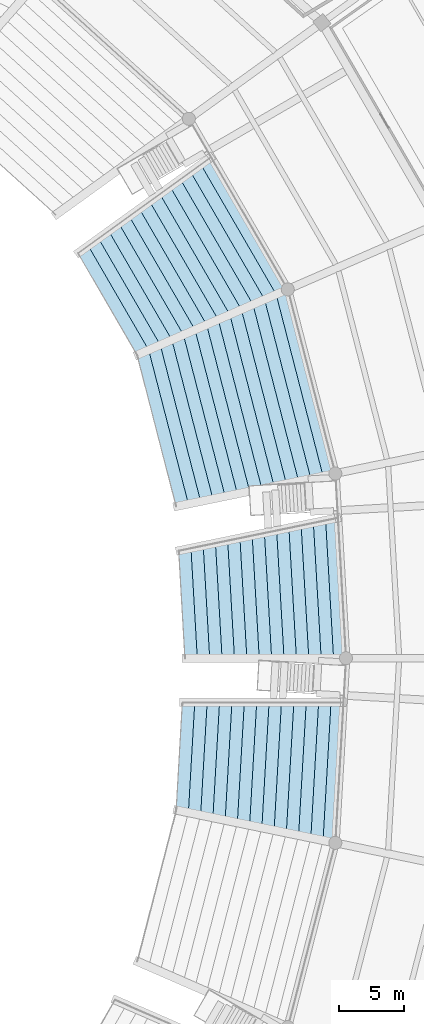
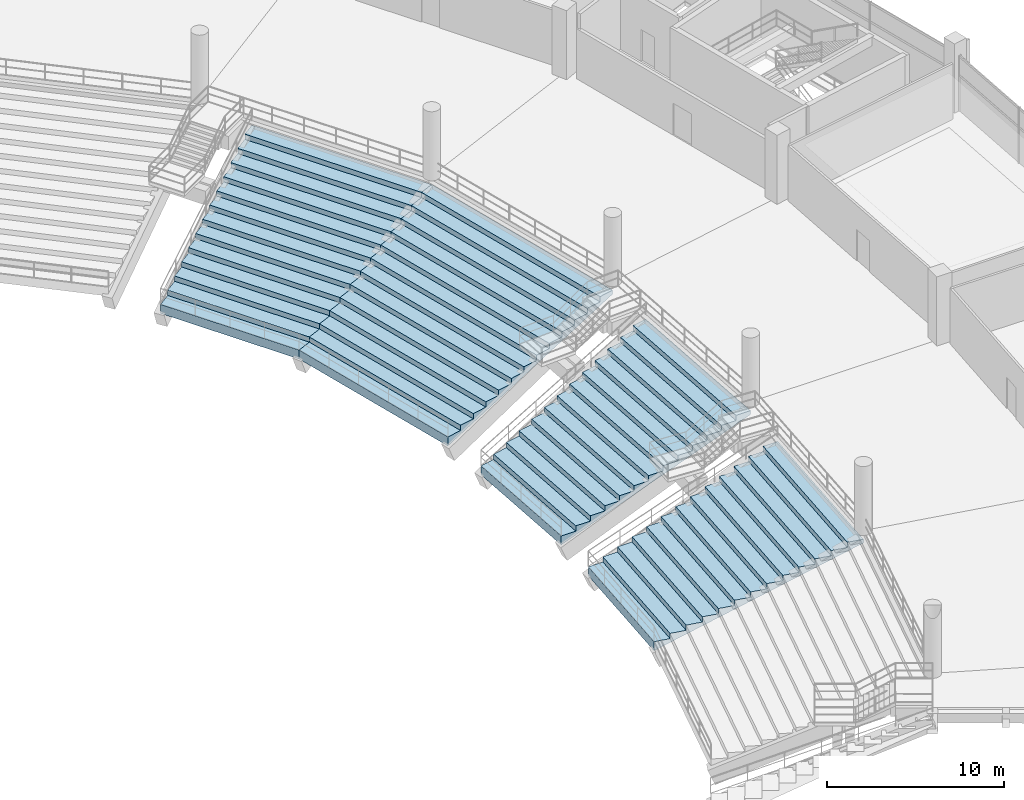
# One storey, part 113 of 156: 4 slabs.
"""IFC4 building model written with IfcOpenShell, lengths in metres."""

import ifcopenshell
import ifcopenshell.guid

model = None  # the IFC model being written
_history = None  # IfcOwnerHistory: only IFC2X3 demands one
_inside = {}  # id of a spatial element -> (the spatial element, [elements in it])
_under = {}  # id of a project, library or spatial element -> (it, [spatial elements below it])
_declared = {}  # id of a project -> (the project, [libraries it declares])
_typed = {}  # id of a type object -> (the type object, [elements of that type])
_made_of = {}  # id of a material, layer set ... -> (it, [elements and type objects made of it])


def new_model(schema):
    """Start an empty IFC model of exactly this schema.

    Asked for "IFC4X3", IfcOpenShell would pick the latest addendum, in which some entities
    have other attributes; the version numbers below select the first issue.
    IFC2X3 requires an IfcOwnerHistory on every rooted entity: one is made here for all.
    """
    global model, _history
    if schema == "IFC4X3":
        model = ifcopenshell.file(schema_version=(4, 3, 0, 0))
    else:
        model = ifcopenshell.file(schema=schema)
    _inside.clear()
    _under.clear()
    _declared.clear()
    _typed.clear()
    _made_of.clear()
    _history = None
    if model.schema == "IFC2X3":
        org = make("IfcOrganization", Name="unknown")
        user = make(
            "IfcPersonAndOrganization",
            ThePerson=make("IfcPerson", FamilyName="unknown"),
            TheOrganization=org,
        )
        app = make(
            "IfcApplication",
            ApplicationDeveloper=org,
            Version="unknown",
            ApplicationFullName="unknown",
            ApplicationIdentifier="unknown",
        )
        _history = make(
            "IfcOwnerHistory",
            OwningUser=user,
            OwningApplication=app,
            ChangeAction="ADDED",
            CreationDate=0,
        )
    return model


def make(cls, **values):
    """One entity of the class cls with the attributes given. An attribute that is None is left unset."""
    return model.create_entity(
        cls, **{name: value for name, value in values.items() if value is not None}
    )


def rooted(cls, **values):
    """An entity with a GlobalId (a new one), such as an element, a storey or a relation."""
    return make(cls, GlobalId=ifcopenshell.guid.new(), OwnerHistory=_history, **values)


def si_unit(unit_type, name, prefix=None):
    """IfcSIUnit, for example si_unit("LENGTHUNIT", "METRE", prefix="MILLI")."""
    return make("IfcSIUnit", UnitType=unit_type, Prefix=prefix, Name=name)


def assignment(units):
    """IfcUnitAssignment: the units of a project."""
    return None if units is None else make("IfcUnitAssignment", Units=units)


def point(xyz):
    """IfcCartesianPoint."""
    return None if xyz is None else make("IfcCartesianPoint", Coordinates=xyz)


def direction(xyz):
    """IfcDirection."""
    return None if xyz is None else make("IfcDirection", DirectionRatios=xyz)


def frame(location, z_axis=None, x_axis=None):
    """IfcAxis2Placement3D, a coordinate frame: its origin and axes. An axis left out is left unset."""
    return make(
        "IfcAxis2Placement3D",
        Location=point(location),
        Axis=direction(z_axis),
        RefDirection=direction(x_axis),
    )


def origin():
    """The frame at (0, 0, 0) with its axes left unset."""
    return frame((0.0, 0.0, 0.0))


def place(relative_to, where):
    """IfcLocalPlacement: puts the frame where relative to a parent placement (None: the world)."""
    return make(
        "IfcLocalPlacement", PlacementRelTo=relative_to, RelativePlacement=where
    )


def context(
    kind, dimensions, precision=None, world=None, true_north=None, identifier=None
):
    """IfcGeometricRepresentationContext, for example the 3D "Model" context."""
    return make(
        "IfcGeometricRepresentationContext",
        ContextIdentifier=identifier,
        ContextType=kind,
        CoordinateSpaceDimension=dimensions,
        Precision=precision,
        WorldCoordinateSystem=world,
        TrueNorth=true_north,
    )


def subcontext(parent, identifier, kind, view, scale=None):
    """IfcGeometricRepresentationSubContext, for example "Body" below "Model"."""
    return make(
        "IfcGeometricRepresentationSubContext",
        ContextIdentifier=identifier,
        ContextType=kind,
        ParentContext=parent,
        TargetScale=scale,
        TargetView=view,
    )


def project(units=None, contexts=None):
    """IfcProject with its units and contexts."""
    return rooted(
        "IfcProject",
        Name="project",
        RepresentationContexts=contexts,
        UnitsInContext=assignment(units),
    )


def spatial(cls, under=None, at=None, **own):
    """A site, building, storey or space (cls), placed at a placement, below another one or the project."""
    s = rooted(cls, ObjectPlacement=at, **own)
    if under is not None:
        _under.setdefault(under.id(), (under, []))[1].append(s)
    return s


def point_list(points):
    """IfcCartesianPointList2D or 3D."""
    cls = (
        "IfcCartesianPointList2D" if len(points[0]) == 2 else "IfcCartesianPointList3D"
    )
    return make(cls, CoordList=points)


def polygons(points, faces, closed=None, point_numbers=None):
    """IfcPolygonalFaceSet: a face is its outer loop, then its inner loops; points numbered from 1."""
    made = []
    for loops in faces:
        if len(loops) == 1:
            made.append(make("IfcIndexedPolygonalFace", CoordIndex=loops[0]))
        else:
            made.append(
                make(
                    "IfcIndexedPolygonalFaceWithVoids",
                    CoordIndex=loops[0],
                    InnerCoordIndices=loops[1:],
                )
            )
    return make(
        "IfcPolygonalFaceSet",
        Coordinates=point_list(points),
        Closed=closed,
        Faces=made,
        PnIndex=point_numbers,
    )


def shape(context_of_items, identifier, shape_type, items):
    """IfcShapeRepresentation: the items that make up one representation, for example the "Body"."""
    return make(
        "IfcShapeRepresentation",
        ContextOfItems=context_of_items,
        RepresentationIdentifier=identifier,
        RepresentationType=shape_type,
        Items=items,
    )


def material(Name=None, Category=None):
    """IfcMaterial."""
    return make("IfcMaterial", Name=Name, Category=Category)


def layer(
    of_material, thickness, ventilated=None, Name=None, Category=None, Priority=None
):
    """IfcMaterialLayer: one layer of a wall or slab, of a material (None: an air gap)."""
    return make(
        "IfcMaterialLayer",
        Material=of_material,
        LayerThickness=thickness,
        IsVentilated=ventilated,
        Name=Name,
        Category=Category,
        Priority=Priority,
    )


def layer_set(layers, Name=None):
    """IfcMaterialLayerSet."""
    return make("IfcMaterialLayerSet", MaterialLayers=layers, LayerSetName=Name)


def made_of(thing, what):
    """Note that an element or type object is made of a material, layer set ...; save() writes the relation."""
    if what is not None:
        _made_of.setdefault(what.id(), (what, []))[1].append(thing)
    return thing


def type_object(cls, material=None, **own):
    """A type object (cls), such as IfcWallType, which elements share."""
    return made_of(rooted(cls, **own), material)


def element(
    cls,
    number,
    at=None,
    inside=None,
    cuts=None,
    type_object=None,
    material=None,
    context=None,
    identifier="Body",
    shape_type=None,
    held_by="IfcProductDefinitionShape",
    body=None,
    shapes=None,
    **own,
):
    """One element of the class cls, such as IfcWall. Its Tag is "e" and its number.

    at: its placement. inside: the storey or other place that contains it. cuts: it is an
    opening in that element (IfcRelVoidsElement). A single representation is given by context,
    identifier, shape_type and body (its items); several are given by shapes. held_by: the class
    of the entity that holds the representations. save() writes the other relations.
    """
    e = rooted(cls, Tag="e%d" % number, ObjectPlacement=at, **own)
    if body is not None:
        shapes = [shape(context, identifier, shape_type, body)]
    if shapes is not None:
        e.Representation = make(held_by, Representations=shapes)
    if inside is not None:
        _inside.setdefault(inside.id(), (inside, []))[1].append(e)
    if cuts is not None:
        rooted(
            "IfcRelVoidsElement", RelatingBuildingElement=cuts, RelatedOpeningElement=e
        )
    if type_object is not None:
        _typed.setdefault(type_object.id(), (type_object, []))[1].append(e)
    return made_of(e, material)


def aggregate(whole, parts):
    """IfcRelAggregates: a whole, such as a stair, and the parts it consists of."""
    return rooted("IfcRelAggregates", RelatingObject=whole, RelatedObjects=parts)


def save(model, path):
    """Write the relations noted so far, then the file.

    IfcRelAggregates (storeys below a building ...), IfcRelContainedInSpatialStructure (elements
    in a storey), IfcRelDefinesByType, IfcRelAssociatesMaterial and IfcRelDeclares: one each for
    every whole, place, type object, material and project.
    """
    for whole, parts in _under.values():
        aggregate(whole, parts)
    for where, things in _inside.values():
        rooted(
            "IfcRelContainedInSpatialStructure",
            RelatedElements=things,
            RelatingStructure=where,
        )
    for kind, things in _typed.values():
        rooted("IfcRelDefinesByType", RelatedObjects=things, RelatingType=kind)
    for what, things in _made_of.values():
        rooted("IfcRelAssociatesMaterial", RelatedObjects=things, RelatingMaterial=what)
    for by, libraries in _declared.values():
        rooted("IfcRelDeclares", RelatingContext=by, RelatedDefinitions=libraries)
    model.write(path)


model = new_model("IFC4")

# Units and contexts
model_context = context("Model", 3, precision=1e-05, world=origin(), true_north=direction((0.0, 1.0)))
body_context = subcontext(model_context, "Body", "Model", "MODEL_VIEW")
ifc_project = project(units=[si_unit("LENGTHUNIT", "METRE"), si_unit("AREAUNIT", "SQUARE_METRE"), si_unit("VOLUMEUNIT", "CUBIC_METRE"), si_unit("PLANEANGLEUNIT", "RADIAN"), si_unit("MASSUNIT", "GRAM", prefix="KILO")], contexts=[model_context])

# Site, building, storey
site_placement = place(None, origin())
site = spatial("IfcSite", under=ifc_project, at=site_placement, CompositionType="ELEMENT")
building_placement = place(site_placement, origin())
building = spatial("IfcBuilding", under=site, at=building_placement, Name="Kazemori Nagisa Stadium", CompositionType="ELEMENT")
storey_placement = place(building_placement, frame((0.0, 0.0, 5.780029296875)))
storey = spatial("IfcBuildingStorey", under=building, at=storey_placement, Name="L01", CompositionType="ELEMENT", Elevation=5.780029296875)

# Slabs
ifc_material = material(Name="Concrete C36/45 (Fc36)", Category="concrete")
ifc_layer_1 = layer(ifc_material, 4.93994140625, Name="Concrete C36/45 (Fc36)", Category="concrete")
ifc_layer_set_1 = layer_set([ifc_layer_1], Name="Concrete C36/45 (Fc36)")
slab_type_1 = type_object("IfcSlabType", Name="SeatingTier_ST-LOW-13", PredefinedType="USERDEFINED", material=ifc_layer_set_1)
slab_1_placement = place(storey_placement, frame((0.0, 0.0, -5.780029296875)))
element("IfcSlab", 1, at=slab_1_placement, inside=storey, type_object=slab_type_1, Name="Stand lower tier bay 02", ObjectType="SEATING TIER", PredefinedType="USERDEFINED", context=body_context, shape_type="Tessellation", body=[
    polygons([(176.3310546875, 125.249755859375, 0.239990234375), (176.3310546875, 125.249755859375, 0.860107421875), (177.219970703125, 125.63720703125, 0.860107421875), (177.219970703125, 125.63720703125, 1.22021484375), (178.108642578125, 126.024658203125, 1.22021484375), (178.108642578125, 126.024658203125, 1.580322265625), (178.99755859375, 126.412109375, 1.580322265625), (178.99755859375, 126.412109375, 1.9404296875), (179.886474609375, 126.7998046875, 1.9404296875), (179.886474609375, 126.7998046875, 2.300537109375), (180.775146484375, 127.187255859375, 2.300537109375), (180.775146484375, 127.187255859375, 2.66064453125), (181.6640625, 127.57470703125, 2.66064453125), (181.6640625, 127.57470703125, 3.020751953125), (182.552978515625, 127.962158203125, 3.020751953125), (182.552978515625, 127.962158203125, 3.380859375), (183.44189453125, 128.349609375, 3.380859375), (183.44189453125, 128.349609375, 3.740966796875), (184.33056640625, 128.737060546875, 3.740966796875), (184.33056640625, 128.737060546875, 4.10107421875), (185.219482421875, 129.124755859375, 4.10107421875), (185.219482421875, 129.124755859375, 4.461181640625), (186.1083984375, 129.51220703125, 4.461181640625), (186.1083984375, 129.51220703125, 4.8212890625), (186.9970703125, 129.899658203125, 4.8212890625), (186.9970703125, 129.899658203125, 5.181396484375), (187.885986328125, 130.287109375, 5.181396484375), (187.885986328125, 130.287109375, 4.92138671875), (186.9970703125, 129.899658203125, 4.561279296875), (186.1083984375, 129.51220703125, 4.201171875), (185.219482421875, 129.124755859375, 3.841064453125), (184.33056640625, 128.737060546875, 3.48095703125), (183.44189453125, 128.349609375, 3.120849609375), (182.552978515625, 127.962158203125, 2.7607421875), (181.6640625, 127.57470703125, 2.400634765625), (180.775146484375, 127.187255859375, 2.04052734375), (179.886474609375, 126.7998046875, 1.680419921875), (178.99755859375, 126.412109375, 1.3203125), (178.108642578125, 126.024658203125, 0.960205078125), (177.219970703125, 125.63720703125, 0.60009765625), (179.328369140625, 113.638671875, 0.239990234375), (179.328369140625, 113.638671875, 0.860107421875), (180.26708984375, 113.832763671875, 0.860107421875), (180.26708984375, 113.832763671875, 1.22021484375), (181.2060546875, 114.026611328125, 1.22021484375), (181.2060546875, 114.026611328125, 1.580322265625), (182.144775390625, 114.220703125, 1.580322265625), (182.144775390625, 114.220703125, 1.9404296875), (183.083740234375, 114.41455078125, 1.9404296875), (183.083740234375, 114.41455078125, 2.300537109375), (184.0224609375, 114.608642578125, 2.300537109375), (184.0224609375, 114.608642578125, 2.66064453125), (184.961181640625, 114.802490234375, 2.66064453125), (184.961181640625, 114.802490234375, 3.020751953125), (185.900146484375, 114.99658203125, 3.020751953125), (185.900146484375, 114.99658203125, 3.380859375), (186.8388671875, 115.1904296875, 3.380859375), (186.8388671875, 115.1904296875, 3.740966796875), (187.777587890625, 115.384521484375, 3.740966796875), (187.777587890625, 115.384521484375, 4.10107421875), (188.716552734375, 115.578369140625, 4.10107421875), (188.716552734375, 115.578369140625, 4.461181640625), (189.6552734375, 115.7724609375, 4.461181640625), (189.6552734375, 115.7724609375, 4.8212890625), (190.59423828125, 115.96630859375, 4.8212890625), (190.59423828125, 115.96630859375, 5.181396484375), (191.532958984375, 116.160400390625, 5.181396484375), (191.532958984375, 116.160400390625, 4.92138671875), (190.59423828125, 115.96630859375, 4.561279296875), (189.6552734375, 115.7724609375, 4.201171875), (188.716552734375, 115.578369140625, 3.841064453125), (187.777587890625, 115.384521484375, 3.48095703125), (186.8388671875, 115.1904296875, 3.120849609375), (185.900146484375, 114.99658203125, 2.7607421875), (184.961181640625, 114.802490234375, 2.400634765625), (184.0224609375, 114.608642578125, 2.04052734375), (183.083740234375, 114.41455078125, 1.680419921875), (182.144775390625, 114.220703125, 1.3203125), (181.2060546875, 114.026611328125, 0.960205078125), (180.26708984375, 113.832763671875, 0.60009765625)], [[[1, 41, 42]], [[1, 42, 2]], [[2, 42, 43]], [[2, 43, 3]], [[3, 43, 44]], [[3, 44, 4]], [[4, 44, 45]], [[4, 45, 5]], [[5, 45, 46]], [[5, 46, 6]], [[6, 46, 47]], [[6, 47, 7]], [[7, 47, 48]], [[7, 48, 8]], [[8, 48, 49]], [[8, 49, 9]], [[9, 49, 50]], [[9, 50, 10]], [[10, 50, 51]], [[10, 51, 11]], [[11, 51, 52]], [[11, 52, 12]], [[12, 52, 53]], [[12, 53, 13]], [[13, 53, 54]], [[13, 54, 14]], [[14, 54, 55]], [[14, 55, 15]], [[15, 55, 56]], [[15, 56, 16]], [[16, 56, 57]], [[16, 57, 17]], [[17, 57, 58]], [[17, 58, 18]], [[18, 58, 59]], [[18, 59, 19]], [[19, 59, 60]], [[19, 60, 20]], [[20, 60, 61]], [[20, 61, 21]], [[21, 61, 62]], [[21, 62, 22]], [[22, 62, 63]], [[22, 63, 23]], [[23, 63, 64]], [[23, 64, 24]], [[24, 64, 65]], [[24, 65, 25]], [[25, 65, 66]], [[25, 66, 26]], [[26, 66, 67]], [[26, 67, 27]], [[27, 67, 68]], [[27, 68, 28]], [[28, 68, 29]], [[29, 68, 69]], [[29, 69, 30]], [[30, 69, 70]], [[30, 70, 31]], [[31, 70, 71]], [[31, 71, 32]], [[32, 71, 72]], [[32, 72, 33]], [[33, 72, 73]], [[33, 73, 34]], [[34, 73, 74]], [[34, 74, 35]], [[35, 74, 75]], [[35, 75, 36]], [[36, 75, 76]], [[36, 76, 37]], [[37, 76, 77]], [[37, 77, 38]], [[38, 77, 78]], [[38, 78, 39]], [[39, 78, 79]], [[39, 79, 40]], [[40, 79, 80]], [[40, 80, 1]], [[1, 80, 41]], [[1, 2, 3]], [[43, 42, 41]], [[1, 3, 40]], [[80, 43, 41]], [[40, 3, 39]], [[79, 43, 80]], [[39, 3, 5]], [[45, 43, 79]], [[3, 4, 5]], [[45, 44, 43]], [[39, 5, 38]], [[78, 45, 79]], [[38, 5, 7]], [[47, 45, 78]], [[5, 6, 7]], [[47, 46, 45]], [[38, 7, 37]], [[77, 47, 78]], [[37, 7, 9]], [[49, 47, 77]], [[7, 8, 9]], [[49, 48, 47]], [[37, 9, 36]], [[76, 49, 77]], [[36, 9, 11]], [[51, 49, 76]], [[9, 10, 11]], [[51, 50, 49]], [[36, 11, 35]], [[75, 51, 76]], [[35, 11, 13]], [[53, 51, 75]], [[11, 12, 13]], [[53, 52, 51]], [[35, 13, 34]], [[74, 53, 75]], [[34, 13, 15]], [[55, 53, 74]], [[13, 14, 15]], [[55, 54, 53]], [[34, 15, 33]], [[73, 55, 74]], [[33, 15, 17]], [[57, 55, 73]], [[15, 16, 17]], [[57, 56, 55]], [[33, 17, 32]], [[72, 57, 73]], [[32, 17, 19]], [[59, 57, 72]], [[17, 18, 19]], [[59, 58, 57]], [[32, 19, 31]], [[71, 59, 72]], [[31, 19, 21]], [[61, 59, 71]], [[19, 20, 21]], [[61, 60, 59]], [[31, 21, 30]], [[70, 61, 71]], [[30, 21, 23]], [[63, 61, 70]], [[21, 22, 23]], [[63, 62, 61]], [[30, 23, 29]], [[69, 63, 70]], [[29, 23, 25]], [[65, 63, 69]], [[23, 24, 25]], [[65, 64, 63]], [[29, 25, 28]], [[68, 65, 69]], [[28, 25, 27]], [[67, 65, 68]], [[25, 26, 27]], [[67, 66, 65]]], closed=True),
])
ifc_layer_2 = layer(ifc_material, 4.93994140625, Name="Concrete C36/45 (Fc36)", Category="concrete")
ifc_layer_set_2 = layer_set([ifc_layer_2], Name="Concrete C36/45 (Fc36)")
slab_type_2 = type_object("IfcSlabType", Name="SeatingTier_ST-LOW-13V", PredefinedType="USERDEFINED", material=ifc_layer_set_2)
slab_2_placement = place(storey_placement, frame((0.0, 0.0, -5.780029296875)))
element("IfcSlab", 2, at=slab_2_placement, inside=storey, type_object=slab_type_2, Name="Stand lower tier bay 01", ObjectType="SEATING TIER", PredefinedType="USERDEFINED", context=body_context, shape_type="Tessellation", body=[
    polygons([(179.5244140625, 110.244140625, 0.239990234375), (179.5244140625, 110.244140625, 0.860107421875), (180.463134765625, 110.438232421875, 0.860107421875), (180.463134765625, 110.438232421875, 1.22021484375), (181.402099609375, 110.632080078125, 1.22021484375), (181.402099609375, 110.632080078125, 1.580322265625), (182.3408203125, 110.826171875, 1.580322265625), (182.3408203125, 110.826171875, 1.9404296875), (183.279541015625, 111.02001953125, 1.9404296875), (183.279541015625, 111.02001953125, 2.300537109375), (184.218505859375, 111.214111328125, 2.300537109375), (184.218505859375, 111.214111328125, 2.66064453125), (185.1572265625, 111.407958984375, 2.66064453125), (185.1572265625, 111.407958984375, 3.020751953125), (186.095947265625, 111.60205078125, 3.020751953125), (186.095947265625, 111.60205078125, 3.380859375), (187.03466796875, 111.7958984375, 3.380859375), (187.03466796875, 111.7958984375, 3.740966796875), (187.9736328125, 111.989990234375, 3.740966796875), (187.9736328125, 111.989990234375, 4.10107421875), (188.912353515625, 112.183837890625, 4.10107421875), (188.912353515625, 112.183837890625, 4.461181640625), (189.85107421875, 112.3779296875, 4.461181640625), (189.85107421875, 112.3779296875, 4.8212890625), (190.7900390625, 112.57177734375, 4.8212890625), (190.7900390625, 112.57177734375, 5.181396484375), (191.728759765625, 112.765869140625, 5.181396484375), (191.728759765625, 112.765869140625, 4.92138671875), (190.7900390625, 112.57177734375, 4.561279296875), (189.85107421875, 112.3779296875, 4.201171875), (188.912353515625, 112.183837890625, 3.841064453125), (187.9736328125, 111.989990234375, 3.48095703125), (187.03466796875, 111.7958984375, 3.120849609375), (186.095947265625, 111.60205078125, 2.7607421875), (185.1572265625, 111.407958984375, 2.400634765625), (184.218505859375, 111.214111328125, 2.04052734375), (183.279541015625, 111.02001953125, 1.680419921875), (182.3408203125, 110.826171875, 1.3203125), (181.402099609375, 110.632080078125, 0.960205078125), (180.463134765625, 110.438232421875, 0.60009765625), (180.0, 102.0, 0.239990234375), (180.0, 102.0, 0.860107421875), (180.949951171875, 102.0, 0.860107421875), (180.949951171875, 102.0, 1.22021484375), (181.89990234375, 102.0, 1.22021484375), (181.89990234375, 102.0, 1.580322265625), (182.85009765625, 102.0, 1.580322265625), (182.85009765625, 102.0, 1.9404296875), (183.800048828125, 102.0, 1.9404296875), (183.800048828125, 102.0, 2.300537109375), (184.75, 102.0, 2.300537109375), (184.75, 102.0, 2.66064453125), (185.699951171875, 102.0, 2.66064453125), (185.699951171875, 102.0, 3.020751953125), (186.650146484375, 102.0, 3.020751953125), (186.650146484375, 102.0, 3.380859375), (187.60009765625, 102.0, 3.380859375), (187.60009765625, 102.0, 3.740966796875), (188.550048828125, 102.0, 3.740966796875), (188.550048828125, 102.0, 4.10107421875), (189.5, 102.0, 4.10107421875), (189.5, 102.0, 4.461181640625), (190.4501953125, 102.0, 4.461181640625), (190.4501953125, 102.0, 4.8212890625), (191.400146484375, 102.0, 4.8212890625), (191.400146484375, 102.0, 5.181396484375), (192.35009765625, 102.0, 5.181396484375), (192.35009765625, 102.0, 4.92138671875), (191.400146484375, 102.0, 4.561279296875), (190.4501953125, 102.0, 4.201171875), (189.5, 102.0, 3.841064453125), (188.550048828125, 102.0, 3.48095703125), (187.60009765625, 102.0, 3.120849609375), (186.650146484375, 102.0, 2.7607421875), (185.699951171875, 102.0, 2.400634765625), (184.75, 102.0, 2.04052734375), (183.800048828125, 102.0, 1.680419921875), (182.85009765625, 102.0, 1.3203125), (181.89990234375, 102.0, 0.960205078125), (180.949951171875, 102.0, 0.60009765625)], [[[1, 41, 42]], [[1, 42, 2]], [[2, 42, 43]], [[2, 43, 3]], [[3, 43, 44]], [[3, 44, 4]], [[4, 44, 45]], [[4, 45, 5]], [[5, 45, 46]], [[5, 46, 6]], [[6, 46, 47]], [[6, 47, 7]], [[7, 47, 48]], [[7, 48, 8]], [[8, 48, 49]], [[8, 49, 9]], [[9, 49, 50]], [[9, 50, 10]], [[10, 50, 51]], [[10, 51, 11]], [[11, 51, 52]], [[11, 52, 12]], [[12, 52, 53]], [[12, 53, 13]], [[13, 53, 54]], [[13, 54, 14]], [[14, 54, 55]], [[14, 55, 15]], [[15, 55, 56]], [[15, 56, 16]], [[16, 56, 57]], [[16, 57, 17]], [[17, 57, 58]], [[17, 58, 18]], [[18, 58, 59]], [[18, 59, 19]], [[19, 59, 60]], [[19, 60, 20]], [[20, 60, 61]], [[20, 61, 21]], [[21, 61, 62]], [[21, 62, 22]], [[22, 62, 63]], [[22, 63, 23]], [[23, 63, 64]], [[23, 64, 24]], [[24, 64, 65]], [[24, 65, 25]], [[25, 65, 66]], [[25, 66, 26]], [[26, 66, 67]], [[26, 67, 27]], [[27, 67, 68]], [[27, 68, 28]], [[28, 68, 29]], [[29, 68, 69]], [[29, 69, 30]], [[30, 69, 70]], [[30, 70, 31]], [[31, 70, 71]], [[31, 71, 32]], [[32, 71, 72]], [[32, 72, 33]], [[33, 72, 73]], [[33, 73, 34]], [[34, 73, 74]], [[34, 74, 35]], [[35, 74, 75]], [[35, 75, 36]], [[36, 75, 76]], [[36, 76, 37]], [[37, 76, 77]], [[37, 77, 38]], [[38, 77, 78]], [[38, 78, 39]], [[39, 78, 79]], [[39, 79, 40]], [[40, 79, 80]], [[40, 80, 1]], [[1, 80, 41]], [[1, 2, 3]], [[43, 42, 41]], [[1, 3, 40]], [[80, 43, 41]], [[40, 3, 39]], [[79, 43, 80]], [[39, 3, 5]], [[45, 43, 79]], [[3, 4, 5]], [[45, 44, 43]], [[39, 5, 38]], [[78, 45, 79]], [[38, 5, 7]], [[47, 45, 78]], [[5, 6, 7]], [[47, 46, 45]], [[38, 7, 37]], [[77, 47, 78]], [[37, 7, 9]], [[49, 47, 77]], [[7, 8, 9]], [[49, 48, 47]], [[37, 9, 36]], [[76, 49, 77]], [[36, 9, 11]], [[51, 49, 76]], [[9, 10, 11]], [[51, 50, 49]], [[36, 11, 35]], [[75, 51, 76]], [[35, 11, 13]], [[53, 51, 75]], [[11, 12, 13]], [[53, 52, 51]], [[35, 13, 34]], [[74, 53, 75]], [[34, 13, 15]], [[55, 53, 74]], [[13, 14, 15]], [[55, 54, 53]], [[34, 15, 33]], [[73, 55, 74]], [[33, 15, 17]], [[57, 55, 73]], [[15, 16, 17]], [[57, 56, 55]], [[33, 17, 32]], [[72, 57, 73]], [[32, 17, 19]], [[59, 57, 72]], [[17, 18, 19]], [[59, 58, 57]], [[32, 19, 31]], [[71, 59, 72]], [[31, 19, 21]], [[61, 59, 71]], [[19, 20, 21]], [[61, 60, 59]], [[31, 21, 30]], [[70, 61, 71]], [[30, 21, 23]], [[63, 61, 70]], [[21, 22, 23]], [[63, 62, 61]], [[30, 23, 29]], [[69, 63, 70]], [[29, 23, 25]], [[65, 63, 69]], [[23, 24, 25]], [[65, 64, 63]], [[29, 25, 28]], [[68, 65, 69]], [[28, 25, 27]], [[67, 65, 68]], [[25, 26, 27]], [[67, 66, 65]]], closed=True),
])
slab_3_placement = place(storey_placement, frame((0.0, 0.0, -5.780029296875)))
element("IfcSlab", 3, at=slab_3_placement, inside=storey, type_object=slab_type_2, Name="Stand lower tier bay 03", ObjectType="SEATING TIER", PredefinedType="USERDEFINED", context=body_context, shape_type="Tessellation", body=[
    polygons([(171.802734375, 133.059326171875, 0.239990234375), (171.802734375, 133.059326171875, 0.860107421875), (172.587646484375, 133.6259765625, 0.860107421875), (172.587646484375, 133.6259765625, 1.22021484375), (173.37255859375, 134.192626953125, 1.22021484375), (173.37255859375, 134.192626953125, 1.580322265625), (174.157470703125, 134.75927734375, 1.580322265625), (174.157470703125, 134.75927734375, 1.9404296875), (174.942626953125, 135.325927734375, 1.9404296875), (174.942626953125, 135.325927734375, 2.300537109375), (175.7275390625, 135.892578125, 2.300537109375), (175.7275390625, 135.892578125, 2.66064453125), (176.512451171875, 136.459228515625, 2.66064453125), (176.512451171875, 136.459228515625, 3.020751953125), (177.29736328125, 137.026123046875, 3.020751953125), (177.29736328125, 137.026123046875, 3.380859375), (178.082275390625, 137.5927734375, 3.380859375), (178.082275390625, 137.5927734375, 3.740966796875), (178.8671875, 138.159423828125, 3.740966796875), (178.8671875, 138.159423828125, 4.10107421875), (179.65234375, 138.72607421875, 4.10107421875), (179.65234375, 138.72607421875, 4.461181640625), (180.437255859375, 139.292724609375, 4.461181640625), (180.437255859375, 139.292724609375, 4.8212890625), (181.22216796875, 139.859375, 4.8212890625), (181.22216796875, 139.859375, 5.181396484375), (182.007080078125, 140.426025390625, 5.181396484375), (182.007080078125, 140.426025390625, 4.92138671875), (181.22216796875, 139.859375, 4.561279296875), (180.437255859375, 139.292724609375, 4.201171875), (179.65234375, 138.72607421875, 3.841064453125), (178.8671875, 138.159423828125, 3.48095703125), (178.082275390625, 137.5927734375, 3.120849609375), (177.29736328125, 137.026123046875, 2.7607421875), (176.512451171875, 136.459228515625, 2.400634765625), (175.7275390625, 135.892578125, 2.04052734375), (174.942626953125, 135.325927734375, 1.680419921875), (174.157470703125, 134.75927734375, 1.3203125), (173.37255859375, 134.192626953125, 0.960205078125), (172.587646484375, 133.6259765625, 0.60009765625), (176.3310546875, 125.249755859375, 0.239990234375), (176.3310546875, 125.249755859375, 0.860107421875), (177.219970703125, 125.63720703125, 0.860107421875), (177.219970703125, 125.63720703125, 1.22021484375), (178.108642578125, 126.024658203125, 1.22021484375), (178.108642578125, 126.024658203125, 1.580322265625), (178.99755859375, 126.412109375, 1.580322265625), (178.99755859375, 126.412109375, 1.9404296875), (179.886474609375, 126.7998046875, 1.9404296875), (179.886474609375, 126.7998046875, 2.300537109375), (180.775146484375, 127.187255859375, 2.300537109375), (180.775146484375, 127.187255859375, 2.66064453125), (181.6640625, 127.57470703125, 2.66064453125), (181.6640625, 127.57470703125, 3.020751953125), (182.552978515625, 127.962158203125, 3.020751953125), (182.552978515625, 127.962158203125, 3.380859375), (183.44189453125, 128.349609375, 3.380859375), (183.44189453125, 128.349609375, 3.740966796875), (184.33056640625, 128.737060546875, 3.740966796875), (184.33056640625, 128.737060546875, 4.10107421875), (185.219482421875, 129.124755859375, 4.10107421875), (185.219482421875, 129.124755859375, 4.461181640625), (186.1083984375, 129.51220703125, 4.461181640625), (186.1083984375, 129.51220703125, 4.8212890625), (186.9970703125, 129.899658203125, 4.8212890625), (186.9970703125, 129.899658203125, 5.181396484375), (187.885986328125, 130.287109375, 5.181396484375), (187.885986328125, 130.287109375, 4.92138671875), (186.9970703125, 129.899658203125, 4.561279296875), (186.1083984375, 129.51220703125, 4.201171875), (185.219482421875, 129.124755859375, 3.841064453125), (184.33056640625, 128.737060546875, 3.48095703125), (183.44189453125, 128.349609375, 3.120849609375), (182.552978515625, 127.962158203125, 2.7607421875), (181.6640625, 127.57470703125, 2.400634765625), (180.775146484375, 127.187255859375, 2.04052734375), (179.886474609375, 126.7998046875, 1.680419921875), (178.99755859375, 126.412109375, 1.3203125), (178.108642578125, 126.024658203125, 0.960205078125), (177.219970703125, 125.63720703125, 0.60009765625)], [[[1, 41, 42]], [[1, 42, 2]], [[2, 42, 43]], [[2, 43, 3]], [[3, 43, 44]], [[3, 44, 4]], [[4, 44, 45]], [[4, 45, 5]], [[5, 45, 46]], [[5, 46, 6]], [[6, 46, 47]], [[6, 47, 7]], [[7, 47, 48]], [[7, 48, 8]], [[8, 48, 49]], [[8, 49, 9]], [[9, 49, 50]], [[9, 50, 10]], [[10, 50, 51]], [[10, 51, 11]], [[11, 51, 52]], [[11, 52, 12]], [[12, 52, 53]], [[12, 53, 13]], [[13, 53, 54]], [[13, 54, 14]], [[14, 54, 55]], [[14, 55, 15]], [[15, 55, 56]], [[15, 56, 16]], [[16, 56, 57]], [[16, 57, 17]], [[17, 57, 58]], [[17, 58, 18]], [[18, 58, 59]], [[18, 59, 19]], [[19, 59, 60]], [[19, 60, 20]], [[20, 60, 61]], [[20, 61, 21]], [[21, 61, 62]], [[21, 62, 22]], [[22, 62, 63]], [[22, 63, 23]], [[23, 63, 64]], [[23, 64, 24]], [[24, 64, 65]], [[24, 65, 25]], [[25, 65, 66]], [[25, 66, 26]], [[26, 66, 67]], [[26, 67, 27]], [[27, 67, 68]], [[27, 68, 28]], [[28, 68, 29]], [[29, 68, 69]], [[29, 69, 30]], [[30, 69, 70]], [[30, 70, 31]], [[31, 70, 71]], [[31, 71, 32]], [[32, 71, 72]], [[32, 72, 33]], [[33, 72, 73]], [[33, 73, 34]], [[34, 73, 74]], [[34, 74, 35]], [[35, 74, 75]], [[35, 75, 36]], [[36, 75, 76]], [[36, 76, 37]], [[37, 76, 77]], [[37, 77, 38]], [[38, 77, 78]], [[38, 78, 39]], [[39, 78, 79]], [[39, 79, 40]], [[40, 79, 80]], [[40, 80, 1]], [[1, 80, 41]], [[1, 2, 3]], [[43, 42, 41]], [[1, 3, 40]], [[80, 43, 41]], [[40, 3, 39]], [[79, 43, 80]], [[39, 3, 5]], [[45, 43, 79]], [[3, 4, 5]], [[45, 44, 43]], [[39, 5, 38]], [[78, 45, 79]], [[38, 5, 7]], [[47, 45, 78]], [[5, 6, 7]], [[47, 46, 45]], [[38, 7, 37]], [[77, 47, 78]], [[37, 7, 9]], [[49, 47, 77]], [[7, 8, 9]], [[49, 48, 47]], [[37, 9, 36]], [[76, 49, 77]], [[36, 9, 11]], [[51, 49, 76]], [[9, 10, 11]], [[51, 50, 49]], [[36, 11, 35]], [[75, 51, 76]], [[35, 11, 13]], [[53, 51, 75]], [[11, 12, 13]], [[53, 52, 51]], [[35, 13, 34]], [[74, 53, 75]], [[34, 13, 15]], [[55, 53, 74]], [[13, 14, 15]], [[55, 54, 53]], [[34, 15, 33]], [[73, 55, 74]], [[33, 15, 17]], [[57, 55, 73]], [[15, 16, 17]], [[57, 56, 55]], [[33, 17, 32]], [[72, 57, 73]], [[32, 17, 19]], [[59, 57, 72]], [[17, 18, 19]], [[59, 58, 57]], [[32, 19, 31]], [[71, 59, 72]], [[31, 19, 21]], [[61, 59, 71]], [[19, 20, 21]], [[61, 60, 59]], [[31, 21, 30]], [[70, 61, 71]], [[30, 21, 23]], [[63, 61, 70]], [[21, 22, 23]], [[63, 62, 61]], [[30, 23, 29]], [[69, 63, 70]], [[29, 23, 25]], [[65, 63, 69]], [[23, 24, 25]], [[65, 64, 63]], [[29, 25, 28]], [[68, 65, 69]], [[28, 25, 27]], [[67, 65, 68]], [[25, 26, 27]], [[67, 66, 65]]], closed=True),
])
slab_4_placement = place(storey_placement, frame((0.0, 0.0, -5.780029296875)))
element("IfcSlab", 4, at=slab_4_placement, inside=storey, type_object=slab_type_2, Name="Stand lower tier bay 28", ObjectType="SEATING TIER", PredefinedType="USERDEFINED", context=body_context, shape_type="Tessellation", body=[
    polygons([(179.80419921875, 98.605712890625, 0.239990234375), (179.80419921875, 98.605712890625, 0.860107421875), (180.754150390625, 98.605712890625, 0.860107421875), (180.754150390625, 98.605712890625, 1.22021484375), (181.7041015625, 98.605712890625, 1.22021484375), (181.7041015625, 98.605712890625, 1.580322265625), (182.654052734375, 98.605712890625, 1.580322265625), (182.654052734375, 98.605712890625, 1.9404296875), (183.604248046875, 98.605712890625, 1.9404296875), (183.604248046875, 98.605712890625, 2.300537109375), (184.55419921875, 98.605712890625, 2.300537109375), (184.55419921875, 98.605712890625, 2.66064453125), (185.504150390625, 98.605712890625, 2.66064453125), (185.504150390625, 98.605712890625, 3.020751953125), (186.4541015625, 98.605712890625, 3.020751953125), (186.4541015625, 98.605712890625, 3.380859375), (187.404052734375, 98.605712890625, 3.380859375), (187.404052734375, 98.605712890625, 3.740966796875), (188.35400390625, 98.605712890625, 3.740966796875), (188.35400390625, 98.605712890625, 4.10107421875), (189.30419921875, 98.605712890625, 4.10107421875), (189.30419921875, 98.605712890625, 4.461181640625), (190.254150390625, 98.605712890625, 4.461181640625), (190.254150390625, 98.605712890625, 4.8212890625), (191.2041015625, 98.605712890625, 4.8212890625), (191.2041015625, 98.605712890625, 5.181396484375), (192.154052734375, 98.605712890625, 5.181396484375), (192.154052734375, 98.605712890625, 4.92138671875), (191.2041015625, 98.605712890625, 4.561279296875), (190.254150390625, 98.605712890625, 4.201171875), (189.30419921875, 98.605712890625, 3.841064453125), (188.35400390625, 98.605712890625, 3.48095703125), (187.404052734375, 98.605712890625, 3.120849609375), (186.4541015625, 98.605712890625, 2.7607421875), (185.504150390625, 98.605712890625, 2.400634765625), (184.55419921875, 98.605712890625, 2.04052734375), (183.604248046875, 98.605712890625, 1.680419921875), (182.654052734375, 98.605712890625, 1.3203125), (181.7041015625, 98.605712890625, 0.960205078125), (180.754150390625, 98.605712890625, 0.60009765625), (179.328369140625, 90.361328125, 0.239990234375), (179.328369140625, 90.361328125, 0.860107421875), (180.26708984375, 90.167236328125, 0.860107421875), (180.26708984375, 90.167236328125, 1.22021484375), (181.2060546875, 89.973388671875, 1.22021484375), (181.2060546875, 89.973388671875, 1.580322265625), (182.144775390625, 89.779296875, 1.580322265625), (182.144775390625, 89.779296875, 1.9404296875), (183.083740234375, 89.58544921875, 1.9404296875), (183.083740234375, 89.58544921875, 2.300537109375), (184.0224609375, 89.391357421875, 2.300537109375), (184.0224609375, 89.391357421875, 2.66064453125), (184.961181640625, 89.197509765625, 2.66064453125), (184.961181640625, 89.197509765625, 3.020751953125), (185.900146484375, 89.00341796875, 3.020751953125), (185.900146484375, 89.00341796875, 3.380859375), (186.8388671875, 88.8095703125, 3.380859375), (186.8388671875, 88.8095703125, 3.740966796875), (187.777587890625, 88.615478515625, 3.740966796875), (187.777587890625, 88.615478515625, 4.10107421875), (188.716552734375, 88.421630859375, 4.10107421875), (188.716552734375, 88.421630859375, 4.461181640625), (189.6552734375, 88.2275390625, 4.461181640625), (189.6552734375, 88.2275390625, 4.8212890625), (190.59423828125, 88.03369140625, 4.8212890625), (190.59423828125, 88.03369140625, 5.181396484375), (191.532958984375, 87.839599609375, 5.181396484375), (191.532958984375, 87.839599609375, 4.92138671875), (190.59423828125, 88.03369140625, 4.561279296875), (189.6552734375, 88.2275390625, 4.201171875), (188.716552734375, 88.421630859375, 3.841064453125), (187.777587890625, 88.615478515625, 3.48095703125), (186.8388671875, 88.8095703125, 3.120849609375), (185.900146484375, 89.00341796875, 2.7607421875), (184.961181640625, 89.197509765625, 2.400634765625), (184.0224609375, 89.391357421875, 2.04052734375), (183.083740234375, 89.58544921875, 1.680419921875), (182.144775390625, 89.779296875, 1.3203125), (181.2060546875, 89.973388671875, 0.960205078125), (180.26708984375, 90.167236328125, 0.60009765625)], [[[1, 41, 42]], [[1, 42, 2]], [[2, 42, 43]], [[2, 43, 3]], [[3, 43, 44]], [[3, 44, 4]], [[4, 44, 45]], [[4, 45, 5]], [[5, 45, 46]], [[5, 46, 6]], [[6, 46, 47]], [[6, 47, 7]], [[7, 47, 48]], [[7, 48, 8]], [[8, 48, 49]], [[8, 49, 9]], [[9, 49, 50]], [[9, 50, 10]], [[10, 50, 51]], [[10, 51, 11]], [[11, 51, 52]], [[11, 52, 12]], [[12, 52, 53]], [[12, 53, 13]], [[13, 53, 54]], [[13, 54, 14]], [[14, 54, 55]], [[14, 55, 15]], [[15, 55, 56]], [[15, 56, 16]], [[16, 56, 57]], [[16, 57, 17]], [[17, 57, 58]], [[17, 58, 18]], [[18, 58, 59]], [[18, 59, 19]], [[19, 59, 60]], [[19, 60, 20]], [[20, 60, 61]], [[20, 61, 21]], [[21, 61, 62]], [[21, 62, 22]], [[22, 62, 63]], [[22, 63, 23]], [[23, 63, 64]], [[23, 64, 24]], [[24, 64, 65]], [[24, 65, 25]], [[25, 65, 66]], [[25, 66, 26]], [[26, 66, 67]], [[26, 67, 27]], [[27, 67, 68]], [[27, 68, 28]], [[28, 68, 29]], [[29, 68, 69]], [[29, 69, 30]], [[30, 69, 70]], [[30, 70, 31]], [[31, 70, 71]], [[31, 71, 32]], [[32, 71, 72]], [[32, 72, 33]], [[33, 72, 73]], [[33, 73, 34]], [[34, 73, 74]], [[34, 74, 35]], [[35, 74, 75]], [[35, 75, 36]], [[36, 75, 76]], [[36, 76, 37]], [[37, 76, 77]], [[37, 77, 38]], [[38, 77, 78]], [[38, 78, 39]], [[39, 78, 79]], [[39, 79, 40]], [[40, 79, 80]], [[40, 80, 1]], [[1, 80, 41]], [[1, 2, 3]], [[43, 42, 41]], [[1, 3, 40]], [[80, 43, 41]], [[40, 3, 39]], [[79, 43, 80]], [[39, 3, 5]], [[45, 43, 79]], [[3, 4, 5]], [[45, 44, 43]], [[39, 5, 38]], [[78, 45, 79]], [[38, 5, 7]], [[47, 45, 78]], [[5, 6, 7]], [[47, 46, 45]], [[38, 7, 37]], [[77, 47, 78]], [[37, 7, 9]], [[49, 47, 77]], [[7, 8, 9]], [[49, 48, 47]], [[37, 9, 36]], [[76, 49, 77]], [[36, 9, 11]], [[51, 49, 76]], [[9, 10, 11]], [[51, 50, 49]], [[36, 11, 35]], [[75, 51, 76]], [[35, 11, 13]], [[53, 51, 75]], [[11, 12, 13]], [[53, 52, 51]], [[35, 13, 34]], [[74, 53, 75]], [[34, 13, 15]], [[55, 53, 74]], [[13, 14, 15]], [[55, 54, 53]], [[34, 15, 33]], [[73, 55, 74]], [[33, 15, 17]], [[57, 55, 73]], [[15, 16, 17]], [[57, 56, 55]], [[33, 17, 32]], [[72, 57, 73]], [[32, 17, 19]], [[59, 57, 72]], [[17, 18, 19]], [[59, 58, 57]], [[32, 19, 31]], [[71, 59, 72]], [[31, 19, 21]], [[61, 59, 71]], [[19, 20, 21]], [[61, 60, 59]], [[31, 21, 30]], [[70, 61, 71]], [[30, 21, 23]], [[63, 61, 70]], [[21, 22, 23]], [[63, 62, 61]], [[30, 23, 29]], [[69, 63, 70]], [[29, 23, 25]], [[65, 63, 69]], [[23, 24, 25]], [[65, 64, 63]], [[29, 25, 28]], [[68, 65, 69]], [[28, 25, 27]], [[67, 65, 68]], [[25, 26, 27]], [[67, 66, 65]]], closed=True),
])

save(model, "model.ifc")
